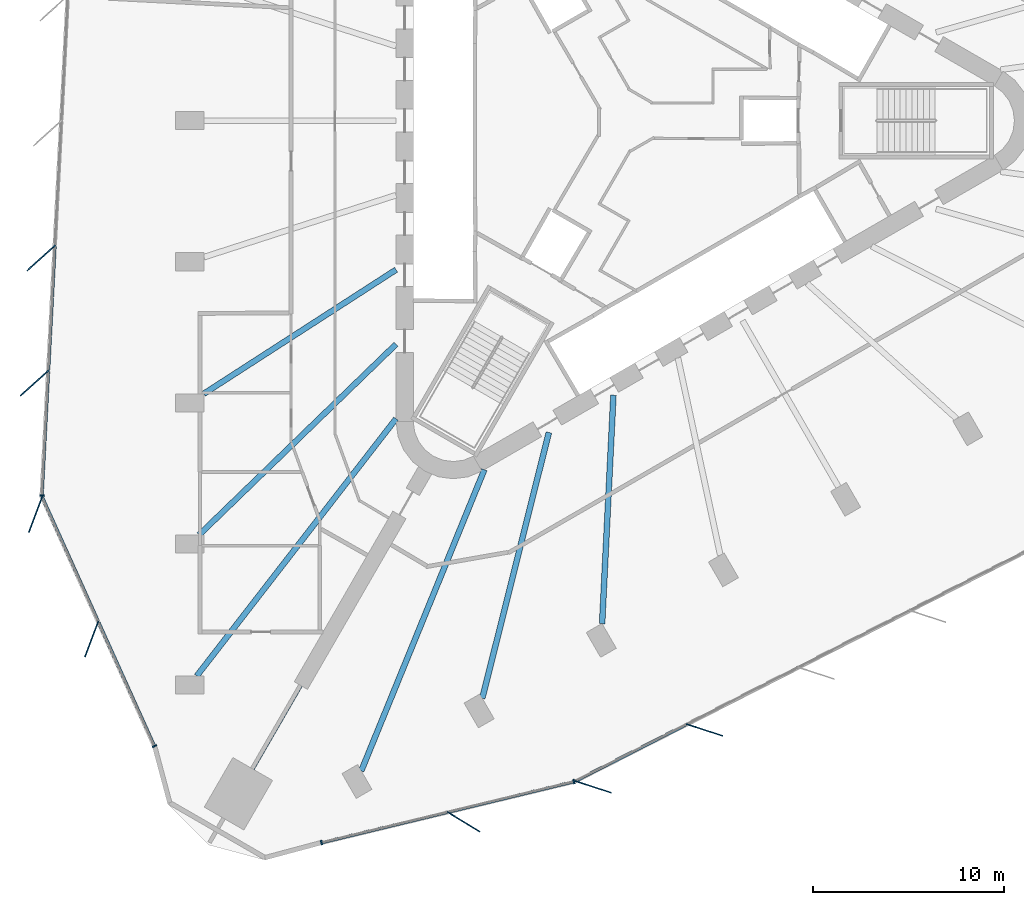
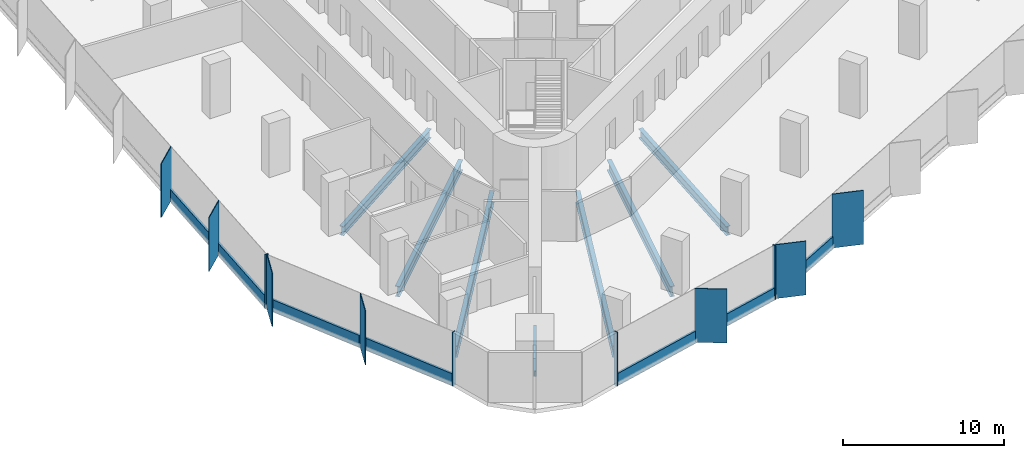
# One storey, part 2 of 14: 18 members, 7 beams, 4 elements without a shape of their own.
"""IFC4 building model written with IfcOpenShell, lengths in metres."""

from ifc_helpers import new_model, si_unit, direction, frame, origin, origin_2d, place, context, subcontext, project, spatial, rectangle, i_section, extrude, material, material_profile, profile_set, type_object, element, aggregate, save


model = new_model("IFC4")

# Units and contexts
model_context = context("Model", 3, precision=1e-05, world=origin(), true_north=direction((0.0, 1.0)))
body_context = subcontext(model_context, "Body", "Model", "MODEL_VIEW")
ifc_project = project(units=[si_unit("LENGTHUNIT", "METRE"), si_unit("AREAUNIT", "SQUARE_METRE"), si_unit("VOLUMEUNIT", "CUBIC_METRE"), si_unit("PLANEANGLEUNIT", "RADIAN"), si_unit("MASSUNIT", "GRAM", prefix="KILO")], contexts=[model_context])

# Site, building, storey
site_placement = place(None, origin())
site = spatial("IfcSite", under=ifc_project, at=site_placement, CompositionType="ELEMENT")
building_placement = place(site_placement, origin())
building = spatial("IfcBuilding", under=site, at=building_placement, Name="Tanit Gate Tower", CompositionType="ELEMENT")
storey_placement = place(building_placement, frame((0.0, 0.0, 115.199951171875)))
storey = spatial("IfcBuildingStorey", under=building, at=storey_placement, Name="L24", CompositionType="ELEMENT", Elevation=115.199951171875)

# Curtain wall, members
ifc_material_1 = material(Name="Aluminium bronze anodised and glass", Category="aluminium")
curtain_wall_type = type_object("IfcCurtainWallType", Name="Curtain wall typical low", PredefinedType="NOTDEFINED", material=ifc_material_1)
curtain_wall_1_placement = place(storey_placement, origin())
curtain_wall_1 = element("IfcCurtainWall", 1, at=curtain_wall_1_placement, inside=storey, type_object=curtain_wall_type, Name="Curtain wall L24 W2", PredefinedType="NOTDEFINED")
ifc_material_2 = material(Name="Aluminium bronze anodised", Category="aluminium")
ifc_material_profile_1 = material_profile(ifc_material_2, rectangle(XDim=2.0, YDim=0.055908203125, at=origin_2d()), Name="56x2000 bronze fin mullion")
ifc_profile_set_1 = profile_set([ifc_material_profile_1], Name="Aluminium bronze anodised")
member_type_1 = type_object("IfcMemberType", Name="FIN MULLION 56x2000 bronze", PredefinedType="MULLION", material=ifc_profile_set_1)
member_1_placement = place(storey_placement, frame((-30.701904296875, -7.201904296875, -0.300048828125), z_axis=(0.0, 0.0, 1.0), x_axis=(0.742921658135, 0.669378375715, 0.0)))
member_1 = element("IfcMember", 2, at=member_1_placement, type_object=member_type_1, Name="Fin mullion L24 W2.5", PredefinedType="MULLION", context=body_context, shape_type="SweptSolid", body=[
    extrude(rectangle(XDim=2.0, YDim=0.055908203125, at=origin_2d()), origin(), (0.0, 0.0, 1.0), 4.10009765625),
])
member_2_placement = place(storey_placement, frame((-31.04296875, -13.750732421875, -0.300048828125), z_axis=(0.0, 0.0, 1.0), x_axis=(0.742921658135, 0.669378375715, 0.0)))
member_2 = element("IfcMember", 3, at=member_2_placement, type_object=member_type_1, Name="Fin mullion L24 W2.6", PredefinedType="MULLION", context=body_context, shape_type="SweptSolid", body=[
    extrude(rectangle(XDim=2.0, YDim=0.055908203125, at=origin_2d()), origin(), (0.0, 0.0, 1.0), 4.10009765625),
])

curtain_wall_2_placement = place(storey_placement, origin())
curtain_wall_2 = element("IfcCurtainWall", 4, at=curtain_wall_2_placement, inside=storey, type_object=curtain_wall_type, Name="Curtain wall L24 W3", PredefinedType="NOTDEFINED")
member_3_placement = place(storey_placement, frame((-30.989501953125, -20.6357421875, -0.300048828125), z_axis=(0.0, 0.0, 1.0), x_axis=(0.354076031727, 0.935216640013, 0.0)))
member_3 = element("IfcMember", 5, at=member_3_placement, type_object=member_type_1, Name="Fin mullion L24 W3.1", PredefinedType="MULLION", context=body_context, shape_type="SweptSolid", body=[
    extrude(rectangle(XDim=2.0, YDim=0.055908203125, at=origin_2d()), origin(), (0.0, 0.0, 1.0), 4.10009765625),
])
member_4_placement = place(storey_placement, frame((-28.048828125, -27.15966796875, -0.300048828125), z_axis=(0.0, 0.0, 1.0), x_axis=(0.354076031727, 0.935216640013, 0.0)))
member_4 = element("IfcMember", 6, at=member_4_placement, type_object=member_type_1, Name="Fin mullion L24 W3.2", PredefinedType="MULLION", context=body_context, shape_type="SweptSolid", body=[
    extrude(rectangle(XDim=2.0, YDim=0.055908203125, at=origin_2d()), origin(), (0.0, 0.0, 1.0), 4.10009765625),
])

# Curtain wall, member
curtain_wall_3_placement = place(storey_placement, origin())
curtain_wall_3 = element("IfcCurtainWall", 7, at=curtain_wall_3_placement, inside=storey, type_object=curtain_wall_type, Name="Curtain wall L24 SE1", PredefinedType="NOTDEFINED")
member_5_placement = place(storey_placement, frame((-8.5615234375, -36.7373046875, -0.300048828125), z_axis=(0.0, 0.0, 1.0), x_axis=(-0.853451294708, 0.521172608222, 0.0)))
member_5 = element("IfcMember", 8, at=member_5_placement, type_object=member_type_1, Name="Fin mullion L24 SE1.2", PredefinedType="MULLION", context=body_context, shape_type="SweptSolid", body=[
    extrude(rectangle(XDim=2.0, YDim=0.055908203125, at=origin_2d()), origin(), (0.0, 0.0, 1.0), 4.10009765625),
])

# Curtain wall, members
curtain_wall_4_placement = place(storey_placement, origin())
curtain_wall_4 = element("IfcCurtainWall", 9, at=curtain_wall_4_placement, inside=storey, type_object=curtain_wall_type, Name="Curtain wall L24 SE2", PredefinedType="NOTDEFINED")
member_6_placement = place(storey_placement, frame((-1.780029296875, -34.904052734375, -0.300048828125), z_axis=(0.0, 0.0, 1.0), x_axis=(-0.95115950718, 0.308699841109, 0.0)))
member_6 = element("IfcMember", 10, at=member_6_placement, type_object=member_type_1, Name="Fin mullion L24 SE2.1", PredefinedType="MULLION", context=body_context, shape_type="SweptSolid", body=[
    extrude(rectangle(XDim=2.0, YDim=0.055908203125, at=origin_2d()), origin(), (0.0, 0.0, 1.0), 4.10009765625),
])
member_7_placement = place(storey_placement, frame((4.06201171875, -31.9248046875, -0.300048828125), z_axis=(0.0, 0.0, 1.0), x_axis=(-0.95115950718, 0.308699841109, 0.0)))
member_7 = element("IfcMember", 11, at=member_7_placement, type_object=member_type_1, Name="Fin mullion L24 SE2.2", PredefinedType="MULLION", context=body_context, shape_type="SweptSolid", body=[
    extrude(rectangle(XDim=2.0, YDim=0.055908203125, at=origin_2d()), origin(), (0.0, 0.0, 1.0), 4.10009765625),
])

# Member
ifc_material_3 = material(Name="Aluminium bronze anodised", Category="aluminium")
ifc_material_profile_2 = material_profile(ifc_material_3, rectangle(XDim=0.239990234375, YDim=0.080078125, at=origin_2d()), Name="80x240 bronze mullion")
ifc_profile_set_2 = profile_set([ifc_material_profile_2], Name="Aluminium bronze anodised")
member_type_2 = type_object("IfcMemberType", Name="Mullion 80x240 typical low", PredefinedType="MULLION", material=ifc_profile_set_2)
member_8_placement = place(storey_placement, frame((-30.65771484375, -19.645263671875, -0.300048828125), z_axis=(0.0, 0.0, 1.0), x_axis=(0.998646931005, -0.05200295371, 0.0)))
member_8 = element("IfcMember", 12, at=member_8_placement, type_object=member_type_2, Name="Mullion L24 W2.7", PredefinedType="MULLION", context=body_context, shape_type="SweptSolid", body=[
    extrude(rectangle(XDim=0.239990234375, YDim=0.080078125, at=origin_2d()), origin(), (0.0, 0.0, 1.0), 4.10009765625),
])

member_9_placement = place(storey_placement, frame((-24.76220703125, -32.769775390625, -0.300048828125), z_axis=(0.0, 0.0, 1.0), x_axis=(0.911667591121, 0.410928464942, 0.0)))
member_9 = element("IfcMember", 13, at=member_9_placement, type_object=member_type_2, Name="Mullion L24 W3.3", PredefinedType="MULLION", context=body_context, shape_type="SweptSolid", body=[
    extrude(rectangle(XDim=0.239990234375, YDim=0.080078125, at=origin_2d()), origin(), (0.0, 0.0, 1.0), 4.10009765625),
])

member_10_placement = place(storey_placement, frame((-16.00732421875, -37.826171875, -0.300048828125), z_axis=(0.0, 0.0, 1.0), x_axis=(-0.234956512458, 0.972005883343, 0.0)))
member_10 = element("IfcMember", 14, at=member_10_placement, type_object=member_type_2, Name="Mullion L24 SE1.1", PredefinedType="MULLION", context=body_context, shape_type="SweptSolid", body=[
    extrude(rectangle(XDim=0.239990234375, YDim=0.080078125, at=origin_2d()), origin(), (0.0, 0.0, 1.0), 4.10009765625),
])

member_11_placement = place(storey_placement, frame((-2.7841796875, -34.6298828125, -0.300048828125), z_axis=(0.0, 0.0, 1.0), x_axis=(-0.234956512458, 0.972005883343, 0.0)))
member_11 = element("IfcMember", 15, at=member_11_placement, type_object=member_type_2, Name="Mullion L24 SE1.3", PredefinedType="MULLION", context=body_context, shape_type="SweptSolid", body=[
    extrude(rectangle(XDim=0.239990234375, YDim=0.080078125, at=origin_2d()), origin(), (0.0, 0.0, 1.0), 4.10009765625),
])

# Beams
ifc_material_4 = material(Name="Steel S355", Category="steel")
ifc_material_profile_3 = material_profile(ifc_material_4, i_section(OverallWidth=0.300048828125, OverallDepth=0.68994140625, WebThickness=0.014404296875, FlangeThickness=0.027099609375, FilletRadius=0.027099609375, at=origin_2d()), Name="HEA 700")
ifc_profile_set_3 = profile_set([ifc_material_profile_3], Name="Steel S355")
beam_type_1 = type_object("IfcBeamType", Name="RADIAL GIRDER HEA 700 S355", PredefinedType="BEAM", material=ifc_profile_set_3)
beam_1_placement = place(storey_placement, frame((-22.173095703125, -14.307861328125, -0.64501953125), z_axis=(0.840246058538, 0.542205275805, 0.0), x_axis=(-0.542205275805, 0.840246058538, 0.0)))
element("IfcBeam", 16, at=beam_1_placement, inside=storey, type_object=beam_type_1, Name="RADIAL GIRDER", PredefinedType="BEAM", context=body_context, shape_type="SweptSolid", body=[
    extrude(i_section(OverallWidth=0.300048828125, OverallDepth=0.68994140625, WebThickness=0.014404296875, FlangeThickness=0.027099609375, FilletRadius=0.027099609375, at=origin_2d()), origin(), (0.0, 0.0, 1.0), 11.98583984375),
])
beam_2_placement = place(storey_placement, frame((-1.304443359375, -26.356201171875, -0.64501953125), z_axis=(0.049436754849, 0.998777256084, 0.0), x_axis=(-0.998777256084, 0.049436754849, 0.0)))
element("IfcBeam", 17, at=beam_2_placement, inside=storey, type_object=beam_type_1, Name="RADIAL GIRDER", PredefinedType="BEAM", context=body_context, shape_type="SweptSolid", body=[
    extrude(i_section(OverallWidth=0.300048828125, OverallDepth=0.68994140625, WebThickness=0.014404296875, FlangeThickness=0.027099609375, FilletRadius=0.027099609375, at=origin_2d()), origin(), (0.0, 0.0, 1.0), 11.985595703125),
])
ifc_material_5 = material(Name="Steel S355", Category="steel")
ifc_material_profile_4 = material_profile(ifc_material_5, i_section(OverallWidth=0.300048828125, OverallDepth=0.7900390625, WebThickness=0.014892578125, FlangeThickness=0.028076171875, FilletRadius=0.030029296875, at=origin_2d()), Name="HEA 800")
ifc_profile_set_4 = profile_set([ifc_material_profile_4], Name="Steel S355")
beam_type_2 = type_object("IfcBeamType", Name="RADIAL GIRDER HEA 800 S355", PredefinedType="BEAM", material=ifc_profile_set_4)
beam_3_placement = place(storey_placement, frame((-22.41845703125, -21.69921875, -0.695068359375), z_axis=(0.718541832966, 0.695483741203, 0.0), x_axis=(-0.695483741203, 0.718541832966, 0.0)))
element("IfcBeam", 18, at=beam_3_placement, inside=storey, type_object=beam_type_2, Name="RADIAL GIRDER", PredefinedType="BEAM", context=body_context, shape_type="SweptSolid", body=[
    extrude(i_section(OverallWidth=0.300048828125, OverallDepth=0.7900390625, WebThickness=0.014892578125, FlangeThickness=0.028076171875, FilletRadius=0.030029296875, at=origin_2d()), origin(), (0.0, 0.0, 1.0), 14.357421875),
])
beam_4_placement = place(storey_placement, frame((-7.5830078125, -30.264404296875, -0.695068359375), z_axis=(0.243047731856, 0.970014329811, 0.0), x_axis=(-0.970014329811, 0.243047731856, 0.0)))
element("IfcBeam", 19, at=beam_4_placement, inside=storey, type_object=beam_type_2, Name="RADIAL GIRDER", PredefinedType="BEAM", context=body_context, shape_type="SweptSolid", body=[
    extrude(i_section(OverallWidth=0.300048828125, OverallDepth=0.7900390625, WebThickness=0.014892578125, FlangeThickness=0.028076171875, FilletRadius=0.030029296875, at=origin_2d()), origin(), (0.0, 0.0, 1.0), 14.357177734375),
])
ifc_material_6 = material(Name="Steel S355", Category="steel")
ifc_material_profile_5 = material_profile(ifc_material_6, i_section(OverallWidth=0.300048828125, OverallDepth=0.889892578125, WebThickness=0.01611328125, FlangeThickness=0.030029296875, FilletRadius=0.030029296875, at=origin_2d()), Name="HEA 900")
ifc_profile_set_5 = profile_set([ifc_material_profile_5], Name="Steel S355")
beam_type_3 = type_object("IfcBeamType", Name="RADIAL GIRDER HEA 900 S355", PredefinedType="BEAM", material=ifc_profile_set_5)
beam_5_placement = place(storey_placement, frame((-22.541015625, -29.0908203125, -0.744873046875), z_axis=(0.612492683922, 0.790476256533, 0.0), x_axis=(-0.790476256533, 0.612492683922, 0.0)))
element("IfcBeam", 20, at=beam_5_placement, inside=storey, type_object=beam_type_3, Name="RADIAL GIRDER", PredefinedType="BEAM", context=body_context, shape_type="SweptSolid", body=[
    extrude(i_section(OverallWidth=0.300048828125, OverallDepth=0.889892578125, WebThickness=0.01611328125, FlangeThickness=0.030029296875, FilletRadius=0.030029296875, at=origin_2d()), origin(), (0.0, 0.0, 1.0), 17.04345703125),
])
beam_6_placement = place(storey_placement, frame((-13.9228515625, -34.06640625, -0.744873046875), z_axis=(0.378315448854, 0.925676736857, 0.0), x_axis=(-0.925676736857, 0.378315448854, 0.0)))
element("IfcBeam", 21, at=beam_6_placement, inside=storey, type_object=beam_type_3, Name="RADIAL GIRDER", PredefinedType="BEAM", context=body_context, shape_type="SweptSolid", body=[
    extrude(i_section(OverallWidth=0.300048828125, OverallDepth=0.889892578125, WebThickness=0.01611328125, FlangeThickness=0.030029296875, FilletRadius=0.030029296875, at=origin_2d()), origin(), (0.0, 0.0, 1.0), 17.043212890625),
])
ifc_material_7 = material(Name="Steel S355", Category="steel")
ifc_material_profile_6 = material_profile(ifc_material_7, i_section(OverallWidth=0.179931640625, OverallDepth=0.39990234375, WebThickness=0.008544921875, FlangeThickness=0.013427734375, FilletRadius=0.02099609375, at=origin_2d()), Name="IPE 400")
ifc_profile_set_6 = profile_set([ifc_material_profile_6], Name="Steel S355")
beam_type_4 = type_object("IfcBeamType", Name="RADIAL GIRDER IPE 400 S355", PredefinedType="BEAM", material=ifc_profile_set_6)
beam_7_placement = place(storey_placement, frame((-19.611572265625, -33.96826171875, -0.5), z_axis=(0.499994660107, 0.866028486751, 0.0), x_axis=(-0.866028486751, 0.499994660107, 0.0)))
element("IfcBeam", 22, at=beam_7_placement, inside=storey, type_object=beam_type_4, Name="RADIAL GIRDER", PredefinedType="BEAM", context=body_context, shape_type="SweptSolid", body=[
    extrude(i_section(OverallWidth=0.179931640625, OverallDepth=0.39990234375, WebThickness=0.008544921875, FlangeThickness=0.013427734375, FilletRadius=0.02099609375, at=origin_2d()), origin(), (0.0, 0.0, 1.0), 5.04638671875),
])

# Member
ifc_material_8 = material(Name="Aluminium bronze anodised", Category="aluminium")
ifc_material_profile_7 = material_profile(ifc_material_8, rectangle(XDim=0.159912109375, YDim=0.89990234375, at=origin_2d()), Name="160x900 bronze transom")
ifc_profile_set_7 = profile_set([ifc_material_profile_7], Name="Aluminium bronze anodised")
member_type_3 = type_object("IfcMemberType", Name="Transom 160x900 typical low", PredefinedType="USERDEFINED", material=ifc_profile_set_7)
member_12_placement = place(storey_placement, frame((-29.977783203125, -6.587646484375, 0.150146484375), z_axis=(-0.05201283419, -0.998646416446, 0.0), x_axis=(0.998646416446, -0.05201283419, 0.0)))
member_12 = element("IfcMember", 23, at=member_12_placement, type_object=member_type_3, Name="Transom L24 W2.5", ObjectType="TRANSOM", PredefinedType="USERDEFINED", context=body_context, shape_type="SweptSolid", body=[
    extrude(rectangle(XDim=0.159912109375, YDim=0.89990234375, at=origin_2d()), origin(), (0.0, 0.0, 1.0), 6.4775390625),
])

member_13_placement = place(storey_placement, frame((-30.31884765625, -13.136474609375, 0.150146484375), z_axis=(-0.05201283419, -0.998646416446, 0.0), x_axis=(0.998646416446, -0.05201283419, 0.0)))
member_13 = element("IfcMember", 24, at=member_13_placement, type_object=member_type_3, Name="Transom L24 W2.6", ObjectType="TRANSOM", PredefinedType="USERDEFINED", context=body_context, shape_type="SweptSolid", body=[
    extrude(rectangle(XDim=0.159912109375, YDim=0.89990234375, at=origin_2d()), origin(), (0.0, 0.0, 1.0), 6.4775390625),
])

aggregate(curtain_wall_1, [member_1, member_2, member_8, member_12, member_13])

member_14_placement = place(storey_placement, frame((-30.626953125, -19.758056640625, 0.150146484375), z_axis=(0.410915482303, -0.911673442853, 0.0), x_axis=(0.911673442853, 0.410915482303, 0.0)))
member_14 = element("IfcMember", 25, at=member_14_placement, type_object=member_type_3, Name="Transom L24 W3.1", ObjectType="TRANSOM", PredefinedType="USERDEFINED", context=body_context, shape_type="SweptSolid", body=[
    extrude(rectangle(XDim=0.159912109375, YDim=0.89990234375, at=origin_2d()), origin(), (0.0, 0.0, 1.0), 7.076171875),
])

member_15_placement = place(storey_placement, frame((-27.686279296875, -26.2822265625, 0.150146484375), z_axis=(0.410928407728, -0.91166761691, 0.0), x_axis=(0.91166761691, 0.410928407728, 0.0)))
member_15 = element("IfcMember", 26, at=member_15_placement, type_object=member_type_3, Name="Transom L24 W3.2", ObjectType="TRANSOM", PredefinedType="USERDEFINED", context=body_context, shape_type="SweptSolid", body=[
    extrude(rectangle(XDim=0.159912109375, YDim=0.89990234375, at=origin_2d()), origin(), (0.0, 0.0, 1.0), 7.075927734375),
])

aggregate(curtain_wall_2, [member_3, member_4, member_9, member_14, member_15])

member_16_placement = place(storey_placement, frame((-15.968505859375, -37.81689453125, 0.150146484375), z_axis=(0.972007889372, 0.234948213442, 0.0), x_axis=(-0.234948213442, 0.972007889372, 0.0)))
member_16 = element("IfcMember", 27, at=member_16_placement, type_object=member_type_3, Name="Transom L24 SE1.1", ObjectType="TRANSOM", PredefinedType="USERDEFINED", context=body_context, shape_type="SweptSolid", body=[
    extrude(rectangle(XDim=0.159912109375, YDim=0.89990234375, at=origin_2d()), origin(), (0.0, 0.0, 1.0), 6.72216796875),
])

member_17_placement = place(storey_placement, frame((-9.356689453125, -36.21875, 0.150146484375), z_axis=(0.971997589077, 0.234990822858, 0.0), x_axis=(-0.234990822858, 0.971997589077, 0.0)))
member_17 = element("IfcMember", 28, at=member_17_placement, type_object=member_type_3, Name="Transom L24 SE1.2", ObjectType="TRANSOM", PredefinedType="USERDEFINED", context=body_context, shape_type="SweptSolid", body=[
    extrude(rectangle(XDim=0.159912109375, YDim=0.89990234375, at=origin_2d()), origin(), (0.0, 0.0, 1.0), 6.721923828125),
])

aggregate(curtain_wall_3, [member_10, member_5, member_11, member_16, member_17])

member_18_placement = place(storey_placement, frame((-2.673828125, -34.584228515625, 0.150146484375), z_axis=(0.890840947934, 0.454315315045, 0.0), x_axis=(-0.454315315045, 0.890840947934, 0.0)))
member_18 = element("IfcMember", 29, at=member_18_placement, type_object=member_type_3, Name="Transom L24 SE2.1", ObjectType="TRANSOM", PredefinedType="USERDEFINED", context=body_context, shape_type="SweptSolid", body=[
    extrude(rectangle(XDim=0.159912109375, YDim=0.89990234375, at=origin_2d()), origin(), (0.0, 0.0, 1.0), 6.4775390625),
])

aggregate(curtain_wall_4, [member_6, member_7, member_18])

save(model, "model.ifc")
